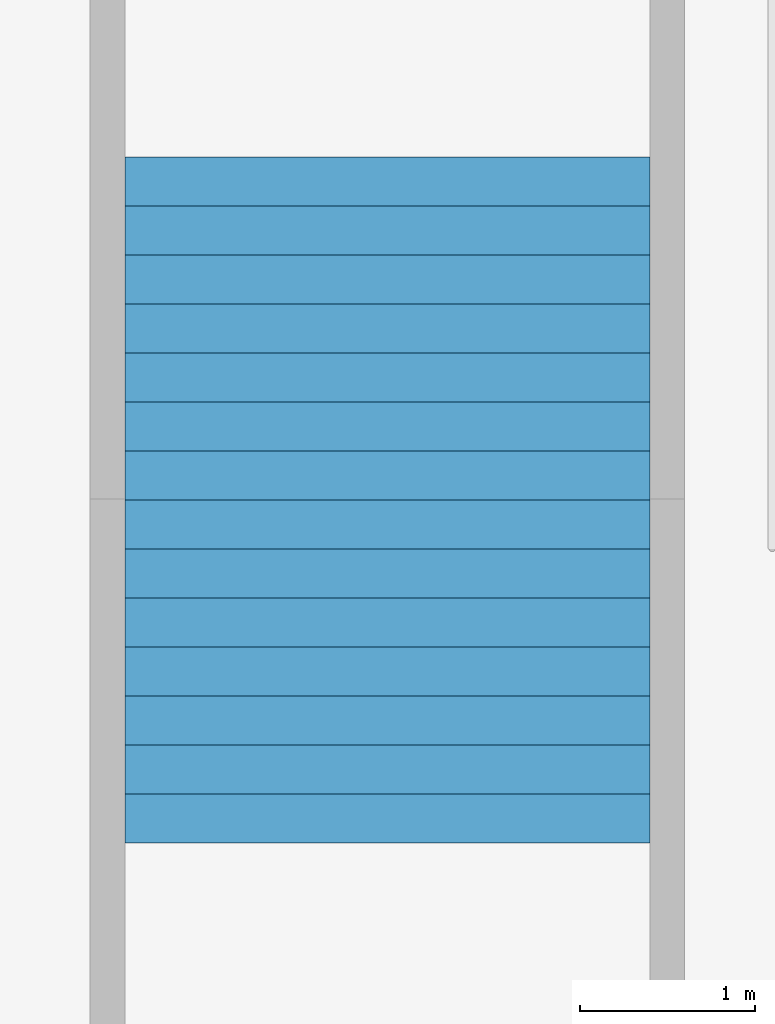
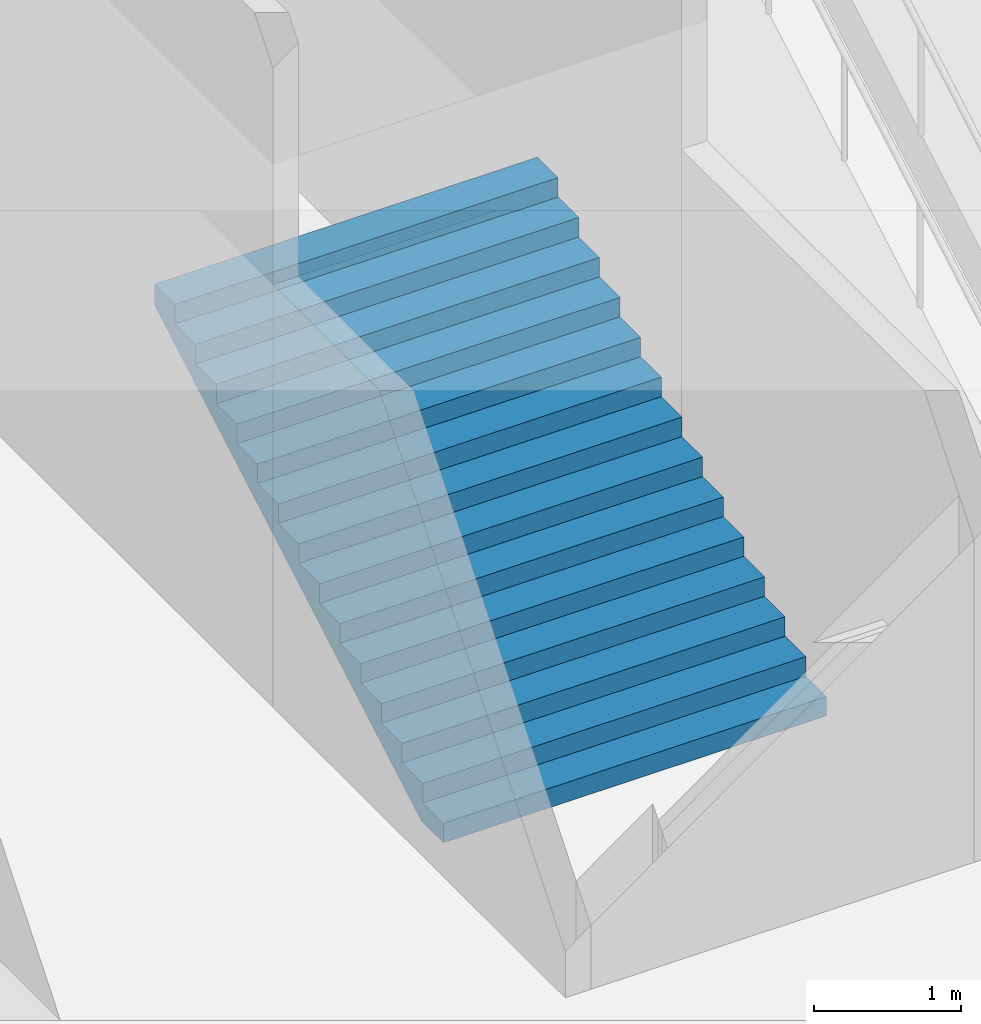
# One storey, part 84 of 115: 1 stair flight, 1 element without a shape of its own.
"""IFC4 building model written with IfcOpenShell, lengths in metres."""

from ifc_helpers import new_model, si_unit, direction, frame, origin, place, context, subcontext, project, spatial, faceted_brep, material, type_object, element, aggregate, save


model = new_model("IFC4")

# Units and contexts
model_context = context("Model", 3, precision=1e-05, world=origin(), true_north=direction((0.0, 1.0)))
body_context = subcontext(model_context, "Body", "Model", "MODEL_VIEW")
ifc_project = project(units=[si_unit("LENGTHUNIT", "METRE"), si_unit("AREAUNIT", "SQUARE_METRE"), si_unit("VOLUMEUNIT", "CUBIC_METRE"), si_unit("PLANEANGLEUNIT", "RADIAN"), si_unit("MASSUNIT", "GRAM", prefix="KILO")], contexts=[model_context])

# Site, building, storey
site_placement = place(None, origin())
site = spatial("IfcSite", under=ifc_project, at=site_placement, CompositionType="ELEMENT")
building_placement = place(site_placement, origin())
building = spatial("IfcBuilding", under=site, at=building_placement, Name="Ogive Plaza Stadium", CompositionType="ELEMENT")
storey_placement = place(building_placement, frame((0.0, 0.0, -4.5)))
storey = spatial("IfcBuildingStorey", under=building, at=storey_placement, Name="B1", CompositionType="ELEMENT", Elevation=-4.5)

# Stair, stair flight
ifc_material_1 = material(Name="Concrete C40/50", Category="concrete")
stair_type = type_object("IfcStairType", Name="Station stair 3000", PredefinedType="TWO_STRAIGHT_RUN_STAIR", material=ifc_material_1)
stair_placement = place(storey_placement, origin())
stair = element("IfcStair", 1, at=stair_placement, inside=storey, type_object=stair_type, Name="Stair QS1", PredefinedType="TWO_STRAIGHT_RUN_STAIR")
ifc_material_2 = material(Name="Concrete C40/50", Category="concrete")
stair_flight_type = type_object("IfcStairFlightType", Name="Station stair flight 3000", PredefinedType="STRAIGHT", material=ifc_material_2)
stair_flight_placement = place(storey_placement, frame((100.699951171875, -19.280029296875, 0.0), z_axis=(0.0, 0.0, 1.0), x_axis=(0.0, 1.0, 0.0)))
stair_flight = element("IfcStairFlight", 2, at=stair_flight_placement, type_object=stair_flight_type, Name="QS1 flight 1", NumberOfRisers=14, NumberOfTreads=13, PredefinedType="STRAIGHT", RiserHeight=0.160714286, TreadLength=0.28, context=body_context, shape_type="Brep", body=[
    faceted_brep([(0.301025390625, -1.5, 0.0), (3.919921875, -1.5, 2.0771484375), (3.919921875, -1.5, 2.25), (3.639892578125, -1.5, 2.25), (3.639892578125, -1.5, 2.08935546875), (3.360107421875, -1.5, 2.08935546875), (3.360107421875, -1.5, 1.928466796875), (3.080078125, -1.5, 1.928466796875), (3.080078125, -1.5, 1.767822265625), (2.800048828125, -1.5, 1.767822265625), (2.800048828125, -1.5, 1.607177734375), (2.52001953125, -1.5, 1.607177734375), (2.52001953125, -1.5, 1.446533203125), (2.239990234375, -1.5, 1.446533203125), (2.239990234375, -1.5, 1.28564453125), (1.9599609375, -1.5, 1.28564453125), (1.9599609375, -1.5, 1.125), (1.679931640625, -1.5, 1.125), (1.679931640625, -1.5, 0.96435546875), (1.39990234375, -1.5, 0.96435546875), (1.39990234375, -1.5, 0.803466796875), (1.1201171875, -1.5, 0.803466796875), (1.1201171875, -1.5, 0.642822265625), (0.840087890625, -1.5, 0.642822265625), (0.840087890625, -1.5, 0.482177734375), (0.56005859375, -1.5, 0.482177734375), (0.56005859375, -1.5, 0.321533203125), (0.280029296875, -1.5, 0.321533203125), (0.280029296875, -1.5, 0.16064453125), (0.0, -1.5, 0.16064453125), (0.0, -1.5, 0.0), (0.0, 1.5, 0.0), (0.0, 1.5, 0.16064453125), (0.280029296875, 1.5, 0.16064453125), (0.280029296875, 1.5, 0.321533203125), (0.56005859375, 1.5, 0.321533203125), (0.56005859375, 1.5, 0.482177734375), (0.840087890625, 1.5, 0.482177734375), (0.840087890625, 1.5, 0.642822265625), (1.1201171875, 1.5, 0.642822265625), (1.1201171875, 1.5, 0.803466796875), (1.39990234375, 1.5, 0.803466796875), (1.39990234375, 1.5, 0.96435546875), (1.679931640625, 1.5, 0.96435546875), (1.679931640625, 1.5, 1.125), (1.9599609375, 1.5, 1.125), (1.9599609375, 1.5, 1.28564453125), (2.239990234375, 1.5, 1.28564453125), (2.239990234375, 1.5, 1.446533203125), (2.52001953125, 1.5, 1.446533203125), (2.52001953125, 1.5, 1.607177734375), (2.800048828125, 1.5, 1.607177734375), (2.800048828125, 1.5, 1.767822265625), (3.080078125, 1.5, 1.767822265625), (3.080078125, 1.5, 1.928466796875), (3.360107421875, 1.5, 1.928466796875), (3.360107421875, 1.5, 2.08935546875), (3.639892578125, 1.5, 2.08935546875), (3.639892578125, 1.5, 2.25), (3.919921875, 1.5, 2.25), (3.919921875, 1.5, 2.0771484375), (0.301025390625, 1.5, 0.0), (0.301025390625, -1.166748046875, 0.0), (3.919921875, -1.166748046875, 2.0771484375), (0.301025390625, -0.833251953125, 0.0), (3.919921875, -0.833251953125, 2.0771484375), (0.301025390625, -0.5, 0.0), (3.919921875, -0.5, 2.0771484375), (0.301025390625, -0.166748046875, 0.0), (3.919921875, -0.166748046875, 2.0771484375), (0.301025390625, 0.166748046875, 0.0), (3.919921875, 0.166748046875, 2.0771484375), (0.301025390625, 0.5, 0.0), (3.919921875, 0.5, 2.0771484375), (0.301025390625, 0.833251953125, 0.0), (3.919921875, 0.833251953125, 2.0771484375), (0.301025390625, 1.166748046875, 0.0), (3.919921875, 1.166748046875, 2.0771484375), (3.919921875, -1.166748046875, 2.25), (3.919921875, -0.833251953125, 2.25), (3.919921875, -0.5, 2.25), (3.919921875, -0.166748046875, 2.25), (3.919921875, 0.166748046875, 2.25), (3.919921875, 0.5, 2.25), (3.919921875, 0.833251953125, 2.25), (3.919921875, 1.166748046875, 2.25), (3.639892578125, -1.166748046875, 2.25), (3.639892578125, -0.833251953125, 2.25), (3.639892578125, -0.5, 2.25), (3.639892578125, -0.166748046875, 2.25), (3.639892578125, 0.166748046875, 2.25), (3.639892578125, 0.5, 2.25), (3.639892578125, 0.833251953125, 2.25), (3.639892578125, 1.166748046875, 2.25), (3.639892578125, -1.166748046875, 2.08935546875), (3.639892578125, -0.833251953125, 2.08935546875), (3.639892578125, -0.5, 2.08935546875), (3.639892578125, -0.166748046875, 2.08935546875), (3.639892578125, 0.166748046875, 2.08935546875), (3.639892578125, 0.5, 2.08935546875), (3.639892578125, 0.833251953125, 2.08935546875), (3.639892578125, 1.166748046875, 2.08935546875), (3.360107421875, -1.166748046875, 2.08935546875), (3.360107421875, -0.833251953125, 2.08935546875), (3.360107421875, -0.5, 2.08935546875), (3.360107421875, -0.166748046875, 2.08935546875), (3.360107421875, 0.166748046875, 2.08935546875), (3.360107421875, 0.5, 2.08935546875), (3.360107421875, 0.833251953125, 2.08935546875), (3.360107421875, 1.166748046875, 2.08935546875), (3.360107421875, -1.166748046875, 1.928466796875), (3.360107421875, -0.833251953125, 1.928466796875), (3.360107421875, -0.5, 1.928466796875), (3.360107421875, -0.166748046875, 1.928466796875), (3.360107421875, 0.166748046875, 1.928466796875), (3.360107421875, 0.5, 1.928466796875), (3.360107421875, 0.833251953125, 1.928466796875), (3.360107421875, 1.166748046875, 1.928466796875), (3.080078125, -1.166748046875, 1.928466796875), (3.080078125, -0.833251953125, 1.928466796875), (3.080078125, -0.5, 1.928466796875), (3.080078125, -0.166748046875, 1.928466796875), (3.080078125, 0.166748046875, 1.928466796875), (3.080078125, 0.5, 1.928466796875), (3.080078125, 0.833251953125, 1.928466796875), (3.080078125, 1.166748046875, 1.928466796875), (3.080078125, -1.166748046875, 1.767822265625), (3.080078125, -0.833251953125, 1.767822265625), (3.080078125, -0.5, 1.767822265625), (3.080078125, -0.166748046875, 1.767822265625), (3.080078125, 0.166748046875, 1.767822265625), (3.080078125, 0.5, 1.767822265625), (3.080078125, 0.833251953125, 1.767822265625), (3.080078125, 1.166748046875, 1.767822265625), (2.800048828125, -1.166748046875, 1.767822265625), (2.800048828125, -0.833251953125, 1.767822265625), (2.800048828125, -0.5, 1.767822265625), (2.800048828125, -0.166748046875, 1.767822265625), (2.800048828125, 0.166748046875, 1.767822265625), (2.800048828125, 0.5, 1.767822265625), (2.800048828125, 0.833251953125, 1.767822265625), (2.800048828125, 1.166748046875, 1.767822265625), (2.800048828125, -1.166748046875, 1.607177734375), (2.800048828125, -0.833251953125, 1.607177734375), (2.800048828125, -0.5, 1.607177734375), (2.800048828125, -0.166748046875, 1.607177734375), (2.800048828125, 0.166748046875, 1.607177734375), (2.800048828125, 0.5, 1.607177734375), (2.800048828125, 0.833251953125, 1.607177734375), (2.800048828125, 1.166748046875, 1.607177734375), (2.52001953125, -1.166748046875, 1.607177734375), (2.52001953125, -0.833251953125, 1.607177734375), (2.52001953125, -0.5, 1.607177734375), (2.52001953125, -0.166748046875, 1.607177734375), (2.52001953125, 0.166748046875, 1.607177734375), (2.52001953125, 0.5, 1.607177734375), (2.52001953125, 0.833251953125, 1.607177734375), (2.52001953125, 1.166748046875, 1.607177734375), (2.52001953125, -1.166748046875, 1.446533203125), (2.52001953125, -0.833251953125, 1.446533203125), (2.52001953125, -0.5, 1.446533203125), (2.52001953125, -0.166748046875, 1.446533203125), (2.52001953125, 0.166748046875, 1.446533203125), (2.52001953125, 0.5, 1.446533203125), (2.52001953125, 0.833251953125, 1.446533203125), (2.52001953125, 1.166748046875, 1.446533203125), (2.239990234375, -1.166748046875, 1.446533203125), (2.239990234375, -0.833251953125, 1.446533203125), (2.239990234375, -0.5, 1.446533203125), (2.239990234375, -0.166748046875, 1.446533203125), (2.239990234375, 0.166748046875, 1.446533203125), (2.239990234375, 0.5, 1.446533203125), (2.239990234375, 0.833251953125, 1.446533203125), (2.239990234375, 1.166748046875, 1.446533203125), (2.239990234375, -1.166748046875, 1.28564453125), (2.239990234375, -0.833251953125, 1.28564453125), (2.239990234375, -0.5, 1.28564453125), (2.239990234375, -0.166748046875, 1.28564453125), (2.239990234375, 0.166748046875, 1.28564453125), (2.239990234375, 0.5, 1.28564453125), (2.239990234375, 0.833251953125, 1.28564453125), (2.239990234375, 1.166748046875, 1.28564453125), (1.9599609375, -1.166748046875, 1.28564453125), (1.9599609375, -0.833251953125, 1.28564453125), (1.9599609375, -0.5, 1.28564453125), (1.9599609375, -0.166748046875, 1.28564453125), (1.9599609375, 0.166748046875, 1.28564453125), (1.9599609375, 0.5, 1.28564453125), (1.9599609375, 0.833251953125, 1.28564453125), (1.9599609375, 1.166748046875, 1.28564453125), (1.9599609375, -1.166748046875, 1.125), (1.9599609375, -0.833251953125, 1.125), (1.9599609375, -0.5, 1.125), (1.9599609375, -0.166748046875, 1.125), (1.9599609375, 0.166748046875, 1.125), (1.9599609375, 0.5, 1.125), (1.9599609375, 0.833251953125, 1.125), (1.9599609375, 1.166748046875, 1.125), (1.679931640625, -1.166748046875, 1.125), (1.679931640625, -0.833251953125, 1.125), (1.679931640625, -0.5, 1.125), (1.679931640625, -0.166748046875, 1.125), (1.679931640625, 0.166748046875, 1.125), (1.679931640625, 0.5, 1.125), (1.679931640625, 0.833251953125, 1.125), (1.679931640625, 1.166748046875, 1.125), (1.679931640625, -1.166748046875, 0.96435546875), (1.679931640625, -0.833251953125, 0.96435546875), (1.679931640625, -0.5, 0.96435546875), (1.679931640625, -0.166748046875, 0.96435546875), (1.679931640625, 0.166748046875, 0.96435546875), (1.679931640625, 0.5, 0.96435546875), (1.679931640625, 0.833251953125, 0.96435546875), (1.679931640625, 1.166748046875, 0.96435546875), (1.39990234375, -1.166748046875, 0.96435546875), (1.39990234375, -0.833251953125, 0.96435546875), (1.39990234375, -0.5, 0.96435546875), (1.39990234375, -0.166748046875, 0.96435546875), (1.39990234375, 0.166748046875, 0.96435546875), (1.39990234375, 0.5, 0.96435546875), (1.39990234375, 0.833251953125, 0.96435546875), (1.39990234375, 1.166748046875, 0.96435546875), (1.39990234375, -1.166748046875, 0.803466796875), (1.39990234375, -0.833251953125, 0.803466796875), (1.39990234375, -0.5, 0.803466796875), (1.39990234375, -0.166748046875, 0.803466796875), (1.39990234375, 0.166748046875, 0.803466796875), (1.39990234375, 0.5, 0.803466796875), (1.39990234375, 0.833251953125, 0.803466796875), (1.39990234375, 1.166748046875, 0.803466796875), (1.1201171875, -1.166748046875, 0.803466796875), (1.1201171875, -0.833251953125, 0.803466796875), (1.1201171875, -0.5, 0.803466796875), (1.1201171875, -0.166748046875, 0.803466796875), (1.1201171875, 0.166748046875, 0.803466796875), (1.1201171875, 0.5, 0.803466796875), (1.1201171875, 0.833251953125, 0.803466796875), (1.1201171875, 1.166748046875, 0.803466796875), (1.1201171875, -1.166748046875, 0.642822265625), (1.1201171875, -0.833251953125, 0.642822265625), (1.1201171875, -0.5, 0.642822265625), (1.1201171875, -0.166748046875, 0.642822265625), (1.1201171875, 0.166748046875, 0.642822265625), (1.1201171875, 0.5, 0.642822265625), (1.1201171875, 0.833251953125, 0.642822265625), (1.1201171875, 1.166748046875, 0.642822265625), (0.840087890625, -1.166748046875, 0.642822265625), (0.840087890625, -0.833251953125, 0.642822265625), (0.840087890625, -0.5, 0.642822265625), (0.840087890625, -0.166748046875, 0.642822265625), (0.840087890625, 0.166748046875, 0.642822265625), (0.840087890625, 0.5, 0.642822265625), (0.840087890625, 0.833251953125, 0.642822265625), (0.840087890625, 1.166748046875, 0.642822265625), (0.840087890625, -1.166748046875, 0.482177734375), (0.840087890625, -0.833251953125, 0.482177734375), (0.840087890625, -0.5, 0.482177734375), (0.840087890625, -0.166748046875, 0.482177734375), (0.840087890625, 0.166748046875, 0.482177734375), (0.840087890625, 0.5, 0.482177734375), (0.840087890625, 0.833251953125, 0.482177734375), (0.840087890625, 1.166748046875, 0.482177734375), (0.56005859375, -1.166748046875, 0.482177734375), (0.56005859375, -0.833251953125, 0.482177734375), (0.56005859375, -0.5, 0.482177734375), (0.56005859375, -0.166748046875, 0.482177734375), (0.56005859375, 0.166748046875, 0.482177734375), (0.56005859375, 0.5, 0.482177734375), (0.56005859375, 0.833251953125, 0.482177734375), (0.56005859375, 1.166748046875, 0.482177734375), (0.56005859375, -1.166748046875, 0.321533203125), (0.56005859375, -0.833251953125, 0.321533203125), (0.56005859375, -0.5, 0.321533203125), (0.56005859375, -0.166748046875, 0.321533203125), (0.56005859375, 0.166748046875, 0.321533203125), (0.56005859375, 0.5, 0.321533203125), (0.56005859375, 0.833251953125, 0.321533203125), (0.56005859375, 1.166748046875, 0.321533203125), (0.280029296875, -1.166748046875, 0.321533203125), (0.280029296875, -0.833251953125, 0.321533203125), (0.280029296875, -0.5, 0.321533203125), (0.280029296875, -0.166748046875, 0.321533203125), (0.280029296875, 0.166748046875, 0.321533203125), (0.280029296875, 0.5, 0.321533203125), (0.280029296875, 0.833251953125, 0.321533203125), (0.280029296875, 1.166748046875, 0.321533203125), (0.280029296875, -1.166748046875, 0.16064453125), (0.280029296875, -0.833251953125, 0.16064453125), (0.280029296875, -0.5, 0.16064453125), (0.280029296875, -0.166748046875, 0.16064453125), (0.280029296875, 0.166748046875, 0.16064453125), (0.280029296875, 0.5, 0.16064453125), (0.280029296875, 0.833251953125, 0.16064453125), (0.280029296875, 1.166748046875, 0.16064453125), (0.0, -1.166748046875, 0.16064453125), (0.0, -0.833251953125, 0.16064453125), (0.0, -0.5, 0.16064453125), (0.0, -0.166748046875, 0.16064453125), (0.0, 0.166748046875, 0.16064453125), (0.0, 0.5, 0.16064453125), (0.0, 0.833251953125, 0.16064453125), (0.0, 1.166748046875, 0.16064453125), (0.0, -1.166748046875, 0.0), (0.0, -0.833251953125, 0.0), (0.0, -0.5, 0.0), (0.0, -0.166748046875, 0.0), (0.0, 0.166748046875, 0.0), (0.0, 0.5, 0.0), (0.0, 0.833251953125, 0.0), (0.0, 1.166748046875, 0.0)], [[[0, 1, 2, 3, 4, 5, 6, 7, 8, 9, 10, 11, 12, 13, 14, 15, 16, 17, 18, 19, 20, 21, 22, 23, 24, 25, 26, 27, 28, 29, 30]], [[31, 32, 33, 34, 35, 36, 37, 38, 39, 40, 41, 42, 43, 44, 45, 46, 47, 48, 49, 50, 51, 52, 53, 54, 55, 56, 57, 58, 59, 60, 61]], [[0, 62, 63, 1]], [[62, 64, 65, 63]], [[64, 66, 67, 65]], [[66, 68, 69, 67]], [[68, 70, 71, 69]], [[70, 72, 73, 71]], [[72, 74, 75, 73]], [[74, 76, 77, 75]], [[76, 61, 60, 77]], [[1, 63, 78, 2]], [[63, 65, 79, 78]], [[65, 67, 80, 79]], [[67, 69, 81, 80]], [[69, 71, 82, 81]], [[71, 73, 83, 82]], [[73, 75, 84, 83]], [[75, 77, 85, 84]], [[77, 60, 59, 85]], [[2, 78, 86, 3]], [[78, 79, 87, 86]], [[79, 80, 88, 87]], [[80, 81, 89, 88]], [[81, 82, 90, 89]], [[82, 83, 91, 90]], [[83, 84, 92, 91]], [[84, 85, 93, 92]], [[85, 59, 58, 93]], [[3, 86, 94, 4]], [[86, 87, 95, 94]], [[87, 88, 96, 95]], [[88, 89, 97, 96]], [[89, 90, 98, 97]], [[90, 91, 99, 98]], [[91, 92, 100, 99]], [[92, 93, 101, 100]], [[93, 58, 57, 101]], [[4, 94, 102, 5]], [[94, 95, 103, 102]], [[95, 96, 104, 103]], [[96, 97, 105, 104]], [[97, 98, 106, 105]], [[98, 99, 107, 106]], [[99, 100, 108, 107]], [[100, 101, 109, 108]], [[101, 57, 56, 109]], [[5, 102, 110, 6]], [[102, 103, 111, 110]], [[103, 104, 112, 111]], [[104, 105, 113, 112]], [[105, 106, 114, 113]], [[106, 107, 115, 114]], [[107, 108, 116, 115]], [[108, 109, 117, 116]], [[109, 56, 55, 117]], [[6, 110, 118, 7]], [[110, 111, 119, 118]], [[111, 112, 120, 119]], [[112, 113, 121, 120]], [[113, 114, 122, 121]], [[114, 115, 123, 122]], [[115, 116, 124, 123]], [[116, 117, 125, 124]], [[117, 55, 54, 125]], [[7, 118, 126, 8]], [[118, 119, 127, 126]], [[119, 120, 128, 127]], [[120, 121, 129, 128]], [[121, 122, 130, 129]], [[122, 123, 131, 130]], [[123, 124, 132, 131]], [[124, 125, 133, 132]], [[125, 54, 53, 133]], [[8, 126, 134, 9]], [[126, 127, 135, 134]], [[127, 128, 136, 135]], [[128, 129, 137, 136]], [[129, 130, 138, 137]], [[130, 131, 139, 138]], [[131, 132, 140, 139]], [[132, 133, 141, 140]], [[133, 53, 52, 141]], [[9, 134, 142, 10]], [[134, 135, 143, 142]], [[135, 136, 144, 143]], [[136, 137, 145, 144]], [[137, 138, 146, 145]], [[138, 139, 147, 146]], [[139, 140, 148, 147]], [[140, 141, 149, 148]], [[141, 52, 51, 149]], [[10, 142, 150, 11]], [[142, 143, 151, 150]], [[143, 144, 152, 151]], [[144, 145, 153, 152]], [[145, 146, 154, 153]], [[146, 147, 155, 154]], [[147, 148, 156, 155]], [[148, 149, 157, 156]], [[149, 51, 50, 157]], [[11, 150, 158, 12]], [[150, 151, 159, 158]], [[151, 152, 160, 159]], [[152, 153, 161, 160]], [[153, 154, 162, 161]], [[154, 155, 163, 162]], [[155, 156, 164, 163]], [[156, 157, 165, 164]], [[157, 50, 49, 165]], [[12, 158, 166, 13]], [[158, 159, 167, 166]], [[159, 160, 168, 167]], [[160, 161, 169, 168]], [[161, 162, 170, 169]], [[162, 163, 171, 170]], [[163, 164, 172, 171]], [[164, 165, 173, 172]], [[165, 49, 48, 173]], [[13, 166, 174, 14]], [[166, 167, 175, 174]], [[167, 168, 176, 175]], [[168, 169, 177, 176]], [[169, 170, 178, 177]], [[170, 171, 179, 178]], [[171, 172, 180, 179]], [[172, 173, 181, 180]], [[173, 48, 47, 181]], [[14, 174, 182, 15]], [[174, 175, 183, 182]], [[175, 176, 184, 183]], [[176, 177, 185, 184]], [[177, 178, 186, 185]], [[178, 179, 187, 186]], [[179, 180, 188, 187]], [[180, 181, 189, 188]], [[181, 47, 46, 189]], [[15, 182, 190, 16]], [[182, 183, 191, 190]], [[183, 184, 192, 191]], [[184, 185, 193, 192]], [[185, 186, 194, 193]], [[186, 187, 195, 194]], [[187, 188, 196, 195]], [[188, 189, 197, 196]], [[189, 46, 45, 197]], [[16, 190, 198, 17]], [[190, 191, 199, 198]], [[191, 192, 200, 199]], [[192, 193, 201, 200]], [[193, 194, 202, 201]], [[194, 195, 203, 202]], [[195, 196, 204, 203]], [[196, 197, 205, 204]], [[197, 45, 44, 205]], [[17, 198, 206, 18]], [[198, 199, 207, 206]], [[199, 200, 208, 207]], [[200, 201, 209, 208]], [[201, 202, 210, 209]], [[202, 203, 211, 210]], [[203, 204, 212, 211]], [[204, 205, 213, 212]], [[205, 44, 43, 213]], [[18, 206, 214, 19]], [[206, 207, 215, 214]], [[207, 208, 216, 215]], [[208, 209, 217, 216]], [[209, 210, 218, 217]], [[210, 211, 219, 218]], [[211, 212, 220, 219]], [[212, 213, 221, 220]], [[213, 43, 42, 221]], [[19, 214, 222, 20]], [[214, 215, 223, 222]], [[215, 216, 224, 223]], [[216, 217, 225, 224]], [[217, 218, 226, 225]], [[218, 219, 227, 226]], [[219, 220, 228, 227]], [[220, 221, 229, 228]], [[221, 42, 41, 229]], [[20, 222, 230, 21]], [[222, 223, 231, 230]], [[223, 224, 232, 231]], [[224, 225, 233, 232]], [[225, 226, 234, 233]], [[226, 227, 235, 234]], [[227, 228, 236, 235]], [[228, 229, 237, 236]], [[229, 41, 40, 237]], [[21, 230, 238, 22]], [[230, 231, 239, 238]], [[231, 232, 240, 239]], [[232, 233, 241, 240]], [[233, 234, 242, 241]], [[234, 235, 243, 242]], [[235, 236, 244, 243]], [[236, 237, 245, 244]], [[237, 40, 39, 245]], [[22, 238, 246, 23]], [[238, 239, 247, 246]], [[239, 240, 248, 247]], [[240, 241, 249, 248]], [[241, 242, 250, 249]], [[242, 243, 251, 250]], [[243, 244, 252, 251]], [[244, 245, 253, 252]], [[245, 39, 38, 253]], [[23, 246, 254, 24]], [[246, 247, 255, 254]], [[247, 248, 256, 255]], [[248, 249, 257, 256]], [[249, 250, 258, 257]], [[250, 251, 259, 258]], [[251, 252, 260, 259]], [[252, 253, 261, 260]], [[253, 38, 37, 261]], [[24, 254, 262, 25]], [[254, 255, 263, 262]], [[255, 256, 264, 263]], [[256, 257, 265, 264]], [[257, 258, 266, 265]], [[258, 259, 267, 266]], [[259, 260, 268, 267]], [[260, 261, 269, 268]], [[261, 37, 36, 269]], [[25, 262, 270, 26]], [[262, 263, 271, 270]], [[263, 264, 272, 271]], [[264, 265, 273, 272]], [[265, 266, 274, 273]], [[266, 267, 275, 274]], [[267, 268, 276, 275]], [[268, 269, 277, 276]], [[269, 36, 35, 277]], [[26, 270, 278, 27]], [[270, 271, 279, 278]], [[271, 272, 280, 279]], [[272, 273, 281, 280]], [[273, 274, 282, 281]], [[274, 275, 283, 282]], [[275, 276, 284, 283]], [[276, 277, 285, 284]], [[277, 35, 34, 285]], [[27, 278, 286, 28]], [[278, 279, 287, 286]], [[279, 280, 288, 287]], [[280, 281, 289, 288]], [[281, 282, 290, 289]], [[282, 283, 291, 290]], [[283, 284, 292, 291]], [[284, 285, 293, 292]], [[285, 34, 33, 293]], [[28, 286, 294, 29]], [[286, 287, 295, 294]], [[287, 288, 296, 295]], [[288, 289, 297, 296]], [[289, 290, 298, 297]], [[290, 291, 299, 298]], [[291, 292, 300, 299]], [[292, 293, 301, 300]], [[293, 33, 32, 301]], [[29, 294, 302, 30]], [[294, 295, 303, 302]], [[295, 296, 304, 303]], [[296, 297, 305, 304]], [[297, 298, 306, 305]], [[298, 299, 307, 306]], [[299, 300, 308, 307]], [[300, 301, 309, 308]], [[301, 32, 31, 309]], [[30, 302, 62, 0]], [[302, 303, 64, 62]], [[303, 304, 66, 64]], [[304, 305, 68, 66]], [[305, 306, 70, 68]], [[306, 307, 72, 70]], [[307, 308, 74, 72]], [[308, 309, 76, 74]], [[309, 31, 61, 76]]]),
])
aggregate(stair, [stair_flight])

save(model, "model.ifc")
